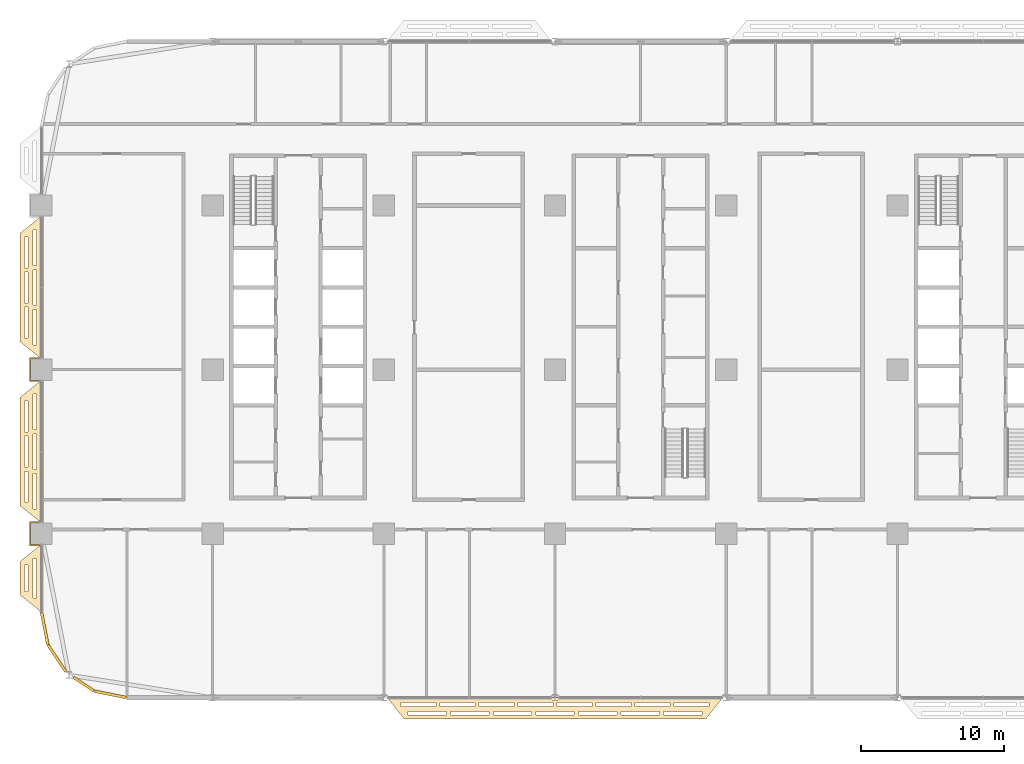
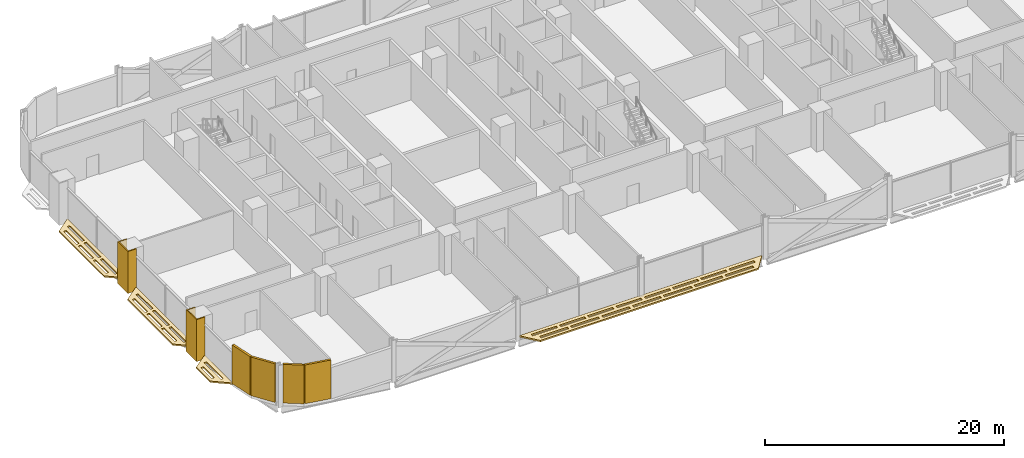
# One storey, part 24 of 29: 10 coverings.
"""IFC4 building model written with IfcOpenShell, lengths in metres."""

from ifc_helpers import new_model, si_unit, direction, frame, origin, origin_2d, place, context, subcontext, project, spatial, polyline, rectangle, outline, extrude, material, layer, layer_set, type_object, element, save


model = new_model("IFC4")

# Units and contexts
model_context = context("Model", 3, precision=1e-05, world=origin(), true_north=direction((0.0, 1.0)))
body_context = subcontext(model_context, "Body", "Model", "MODEL_VIEW")
ifc_project = project(units=[si_unit("LENGTHUNIT", "METRE"), si_unit("AREAUNIT", "SQUARE_METRE"), si_unit("VOLUMEUNIT", "CUBIC_METRE"), si_unit("PLANEANGLEUNIT", "RADIAN"), si_unit("MASSUNIT", "GRAM", prefix="KILO")], contexts=[model_context])

# Site, building, storey
site_placement = place(None, origin())
site = spatial("IfcSite", under=ifc_project, at=site_placement, CompositionType="ELEMENT")
building_placement = place(site_placement, origin())
building = spatial("IfcBuilding", under=site, at=building_placement, Name="Mahtab Terrace Research Tower", CompositionType="ELEMENT")
storey_placement = place(building_placement, frame((0.0, 0.0, 67.5)))
storey = spatial("IfcBuildingStorey", under=building, at=storey_placement, Name="L15", CompositionType="ELEMENT", Elevation=67.5)

# Coverings
ifc_material_1 = material(Name="Black aluminium cladding panel", Category="aluminium")
ifc_layer_1 = layer(ifc_material_1, 0.199951171875)
ifc_layer_set_1 = layer_set([ifc_layer_1], Name="Black metal corner cladding 200")
covering_type_1 = type_object("IfcCoveringType", Name="Black metal corner cladding 200", PredefinedType="CLADDING", material=ifc_layer_set_1)
covering_1_placement = place(storey_placement, frame((-41.771484375, -18.14794921875, 0.0), z_axis=(0.0, 0.0, 1.0), x_axis=(0.195212442692, -0.980760981187, 0.0)))
element("IfcCovering", 1, at=covering_1_placement, inside=storey, type_object=covering_type_1, Name="Corner cladding L15 19", PredefinedType="CLADDING", context=body_context, shape_type="SweptSolid", body=[
    extrude(rectangle(XDim=2.30126953125, YDim=0.199951171875, at=origin_2d()), origin(), (0.0, 0.0, 1.0), 3.9599609375),
])
covering_2_placement = place(storey_placement, frame((-40.911376953125, -20.2421875, 0.0), z_axis=(0.0, 0.0, 1.0), x_axis=(0.555291490808, -0.831655794326, 0.0)))
element("IfcCovering", 2, at=covering_2_placement, inside=storey, type_object=covering_type_1, Name="Corner cladding L15 20", PredefinedType="CLADDING", context=body_context, shape_type="SweptSolid", body=[
    extrude(rectangle(XDim=2.235595703125, YDim=0.199951171875, at=origin_2d()), origin(), (0.0, 0.0, 1.0), 3.9599609375),
])
covering_3_placement = place(storey_placement, frame((-39.0380859375, -22.047607421875, 0.0), z_axis=(0.0, 0.0, 1.0), x_axis=(0.831655794326, -0.555291490808, 0.0)))
element("IfcCovering", 3, at=covering_3_placement, inside=storey, type_object=covering_type_1, Name="Corner cladding L15 21", PredefinedType="CLADDING", context=body_context, shape_type="SweptSolid", body=[
    extrude(rectangle(XDim=1.74462890625, YDim=0.199951171875, at=origin_2d()), origin(), (0.0, 0.0, 1.0), 3.9599609375),
])
covering_4_placement = place(storey_placement, frame((-37.14794921875, -22.771484375, 0.0), z_axis=(0.0, 0.0, 1.0), x_axis=(0.980760981187, -0.195212442692, 0.0)))
element("IfcCovering", 4, at=covering_4_placement, inside=storey, type_object=covering_type_1, Name="Corner cladding L15 22", PredefinedType="CLADDING", context=body_context, shape_type="SweptSolid", body=[
    extrude(rectangle(XDim=2.30126953125, YDim=0.199951171875, at=origin_2d()), origin(), (0.0, 0.0, 1.0), 3.9599609375),
])
ifc_material_2 = material(Name="Dark anodised aluminium cladding", Category="aluminium")
ifc_layer_2 = layer(ifc_material_2, 0.10009765625)
ifc_layer_set_2 = layer_set([ifc_layer_2], Name="Column casing 100")
covering_type_2 = type_object("IfcCoveringType", Name="Column casing 100", PredefinedType="CLADDING", material=ifc_layer_set_2)
covering_5_placement = place(storey_placement, frame((0.0, 0.0, -0.340087890625)))
element("IfcCovering", 5, at=covering_5_placement, inside=storey, type_object=covering_type_2, Name="Column casing RC-1A L15", PredefinedType="CLADDING", context=body_context, shape_type="SweptSolid", body=[
    extrude(outline(polyline([(-42.85009765625, -10.64990234375), (-42.0, -10.64990234375), (-42.0, -10.75), (-42.75, -10.75), (-42.75, -12.25), (-42.0, -12.25), (-42.0, -12.35009765625), (-42.85009765625, -12.35009765625), (-42.85009765625, -10.64990234375)])), origin(), (0.0, 0.0, 1.0), 4.300048828125),
])
covering_6_placement = place(storey_placement, frame((0.0, 0.0, -0.340087890625)))
element("IfcCovering", 6, at=covering_6_placement, inside=storey, type_object=covering_type_2, Name="Column casing RC-1B L15", PredefinedType="CLADDING", context=body_context, shape_type="SweptSolid", body=[
    extrude(outline(polyline([(-42.85009765625, 0.85009765625), (-42.0, 0.85009765625), (-42.0, 0.75), (-42.75, 0.75), (-42.75, -0.75), (-42.0, -0.75), (-42.0, -0.85009765625), (-42.85009765625, -0.85009765625), (-42.85009765625, 0.85009765625)])), origin(), (0.0, 0.0, 1.0), 4.300048828125),
])
ifc_material_3 = material(Name="Black anodised aluminium", Category="aluminium")
ifc_layer_3 = layer(ifc_material_3, 0.14990234375)
ifc_layer_set_3 = layer_set([ifc_layer_3], Name="Horizontal sunshade band")
covering_type_3 = type_object("IfcCoveringType", Name="Horizontal sunshade band", PredefinedType="CLADDING", material=ifc_layer_set_3)
covering_7_placement = place(storey_placement, frame((0.0, 0.0, -0.14990234375)))
element("IfcCovering", 7, at=covering_7_placement, inside=storey, type_object=covering_type_3, Name="Sunshade band L15 16", PredefinedType="CLADDING", context=body_context, shape_type="SweptSolid", body=[
    extrude(outline(polyline([(-42.0, 10.75), (-42.0, 0.75), (-43.5, 1.949951171875), (-43.5, 9.550048828125), (-42.0, 10.75)]), holes=[polyline([(-42.35009765625, 9.77001953125), (-42.35009765625, 7.2900390625), (-42.60009765625, 7.2900390625), (-42.60009765625, 9.77001953125), (-42.35009765625, 9.77001953125)]), polyline([(-42.35009765625, 6.989990234375), (-42.35009765625, 4.510009765625), (-42.60009765625, 4.510009765625), (-42.60009765625, 6.989990234375), (-42.35009765625, 6.989990234375)]), polyline([(-42.35009765625, 4.2099609375), (-42.35009765625, 1.72998046875), (-42.60009765625, 1.72998046875), (-42.60009765625, 4.2099609375), (-42.35009765625, 4.2099609375)]), polyline([(-42.949951171875, 9.2900390625), (-42.949951171875, 7.1298828125), (-43.199951171875, 7.1298828125), (-43.199951171875, 9.2900390625), (-42.949951171875, 9.2900390625)]), polyline([(-42.949951171875, 6.830078125), (-42.949951171875, 4.669921875), (-43.199951171875, 4.669921875), (-43.199951171875, 6.830078125), (-42.949951171875, 6.830078125)]), polyline([(-42.949951171875, 4.3701171875), (-42.949951171875, 2.2099609375), (-43.199951171875, 2.2099609375), (-43.199951171875, 4.3701171875), (-42.949951171875, 4.3701171875)])]), origin(), (0.0, 0.0, 1.0), 0.14990234375),
])
covering_8_placement = place(storey_placement, frame((0.0, 0.0, -0.14990234375)))
element("IfcCovering", 8, at=covering_8_placement, inside=storey, type_object=covering_type_3, Name="Sunshade band L15 17", PredefinedType="CLADDING", context=body_context, shape_type="SweptSolid", body=[
    extrude(outline(polyline([(-42.0, -0.75), (-42.0, -10.75), (-43.5, -9.550048828125), (-43.5, -1.949951171875), (-42.0, -0.75)]), holes=[polyline([(-42.35009765625, -1.72998046875), (-42.35009765625, -4.2099609375), (-42.60009765625, -4.2099609375), (-42.60009765625, -1.72998046875), (-42.35009765625, -1.72998046875)]), polyline([(-42.35009765625, -4.510009765625), (-42.35009765625, -6.989990234375), (-42.60009765625, -6.989990234375), (-42.60009765625, -4.510009765625), (-42.35009765625, -4.510009765625)]), polyline([(-42.35009765625, -7.2900390625), (-42.35009765625, -9.77001953125), (-42.60009765625, -9.77001953125), (-42.60009765625, -7.2900390625), (-42.35009765625, -7.2900390625)]), polyline([(-42.949951171875, -2.2099609375), (-42.949951171875, -4.3701171875), (-43.199951171875, -4.3701171875), (-43.199951171875, -2.2099609375), (-42.949951171875, -2.2099609375)]), polyline([(-42.949951171875, -4.669921875), (-42.949951171875, -6.830078125), (-43.199951171875, -6.830078125), (-43.199951171875, -4.669921875), (-42.949951171875, -4.669921875)]), polyline([(-42.949951171875, -7.1298828125), (-42.949951171875, -9.2900390625), (-43.199951171875, -9.2900390625), (-43.199951171875, -7.1298828125), (-42.949951171875, -7.1298828125)])]), origin(), (0.0, 0.0, 1.0), 0.14990234375),
])
covering_9_placement = place(storey_placement, frame((0.0, 0.0, -0.14990234375)))
element("IfcCovering", 9, at=covering_9_placement, inside=storey, type_object=covering_type_3, Name="Sunshade band L15 18", PredefinedType="CLADDING", context=body_context, shape_type="SweptSolid", body=[
    extrude(outline(polyline([(-42.0, -12.25), (-42.0, -17.0), (-43.5, -15.800048828125), (-43.5, -13.449951171875), (-42.0, -12.25)]), holes=[polyline([(-42.35009765625, -13.22998046875), (-42.35009765625, -16.02001953125), (-42.60009765625, -16.02001953125), (-42.60009765625, -13.22998046875), (-42.35009765625, -13.22998046875)]), polyline([(-42.949951171875, -13.7099609375), (-42.949951171875, -15.5400390625), (-43.199951171875, -15.5400390625), (-43.199951171875, -13.7099609375), (-42.949951171875, -13.7099609375)])]), origin(), (0.0, 0.0, 1.0), 0.14990234375),
])
covering_10_placement = place(storey_placement, frame((0.0, 0.0, -0.14990234375)))
element("IfcCovering", 10, at=covering_10_placement, inside=storey, type_object=covering_type_3, Name="Sunshade band L15 25", PredefinedType="CLADDING", context=body_context, shape_type="SweptSolid", body=[
    extrude(outline(polyline([(-17.761962890625, -23.0), (5.761962890625, -23.0), (4.56201171875, -24.5), (-16.56201171875, -24.5), (-17.761962890625, -23.0)]), holes=[polyline([(-16.781982421875, -23.35009765625), (-14.34912109375, -23.35009765625), (-14.34912109375, -23.60009765625), (-16.781982421875, -23.60009765625), (-16.781982421875, -23.35009765625)]), polyline([(-14.049072265625, -23.35009765625), (-11.615966796875, -23.35009765625), (-11.615966796875, -23.60009765625), (-14.049072265625, -23.60009765625), (-14.049072265625, -23.35009765625)]), polyline([(-11.31591796875, -23.35009765625), (-8.883056640625, -23.35009765625), (-8.883056640625, -23.60009765625), (-11.31591796875, -23.60009765625), (-11.31591796875, -23.35009765625)]), polyline([(-8.5830078125, -23.35009765625), (-6.14990234375, -23.35009765625), (-6.14990234375, -23.60009765625), (-8.5830078125, -23.60009765625), (-8.5830078125, -23.35009765625)]), polyline([(-5.85009765625, -23.35009765625), (-3.4169921875, -23.35009765625), (-3.4169921875, -23.60009765625), (-5.85009765625, -23.60009765625), (-5.85009765625, -23.35009765625)]), polyline([(-3.116943359375, -23.35009765625), (-0.68408203125, -23.35009765625), (-0.68408203125, -23.60009765625), (-3.116943359375, -23.60009765625), (-3.116943359375, -23.35009765625)]), polyline([(-0.384033203125, -23.35009765625), (2.049072265625, -23.35009765625), (2.049072265625, -23.60009765625), (-0.384033203125, -23.60009765625), (-0.384033203125, -23.35009765625)]), polyline([(2.34912109375, -23.35009765625), (4.781982421875, -23.35009765625), (4.781982421875, -23.60009765625), (2.34912109375, -23.60009765625), (2.34912109375, -23.35009765625)]), polyline([(-16.302001953125, -23.949951171875), (-13.615966796875, -23.949951171875), (-13.615966796875, -24.199951171875), (-16.302001953125, -24.199951171875), (-16.302001953125, -23.949951171875)]), polyline([(-13.31591796875, -23.949951171875), (-10.62890625, -23.949951171875), (-10.62890625, -24.199951171875), (-13.31591796875, -24.199951171875), (-13.31591796875, -23.949951171875)]), polyline([(-10.3291015625, -23.949951171875), (-7.64306640625, -23.949951171875), (-7.64306640625, -24.199951171875), (-10.3291015625, -24.199951171875), (-10.3291015625, -23.949951171875)]), polyline([(-7.343017578125, -23.949951171875), (-4.656982421875, -23.949951171875), (-4.656982421875, -24.199951171875), (-7.343017578125, -24.199951171875), (-7.343017578125, -23.949951171875)]), polyline([(-4.35693359375, -23.949951171875), (-1.6708984375, -23.949951171875), (-1.6708984375, -24.199951171875), (-4.35693359375, -24.199951171875), (-4.35693359375, -23.949951171875)]), polyline([(-1.37109375, -23.949951171875), (1.31591796875, -23.949951171875), (1.31591796875, -24.199951171875), (-1.37109375, -24.199951171875), (-1.37109375, -23.949951171875)]), polyline([(1.615966796875, -23.949951171875), (4.302001953125, -23.949951171875), (4.302001953125, -24.199951171875), (1.615966796875, -24.199951171875), (1.615966796875, -23.949951171875)])]), origin(), (0.0, 0.0, 1.0), 0.14990234375),
])

save(model, "model.ifc")
